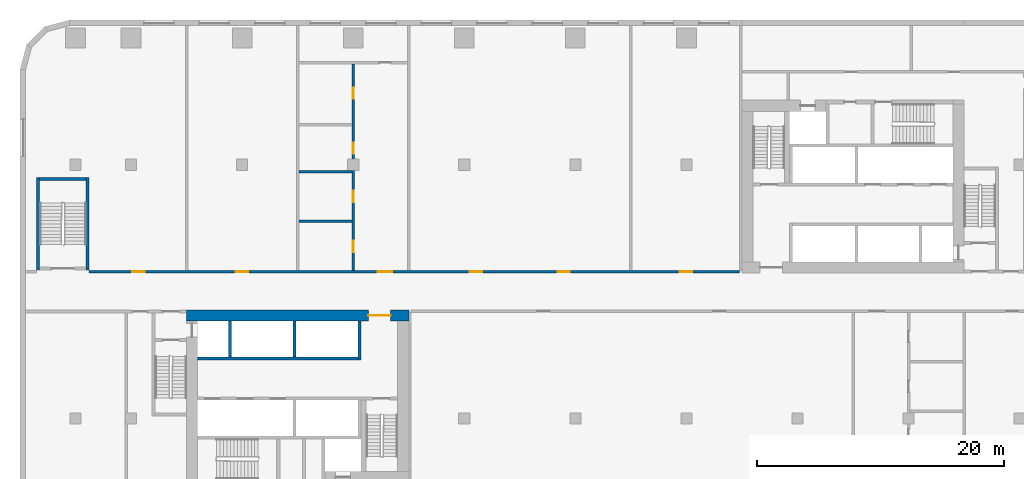
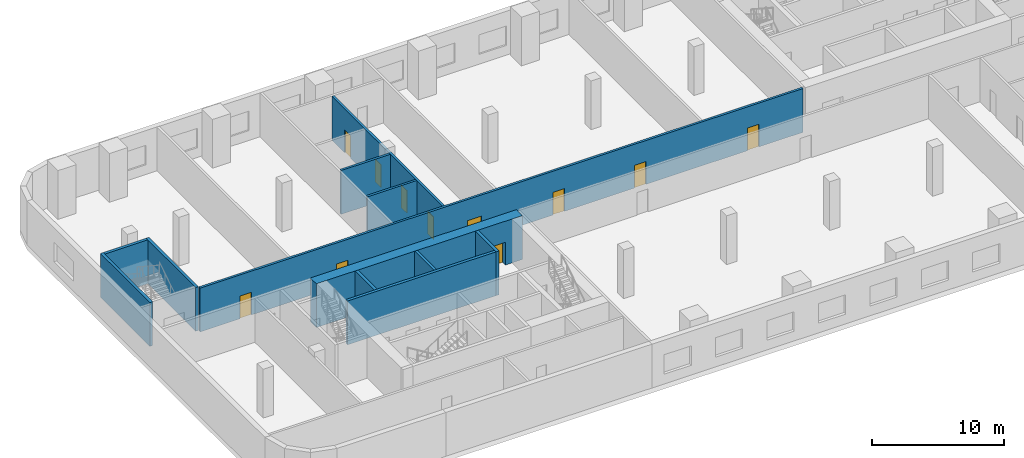
# One storey, part 3 of 15: 12 walls, 11 doors, 11 openings.
"""IFC4 building model written with IfcOpenShell, lengths in metres."""

from ifc_helpers import new_model, si_unit, direction, frame, frame_2d, origin, place, context, subcontext, project, spatial, rectangle, extrude, material, layer, layer_set, type_object, element, fill, save


model = new_model("IFC4")

# Units and contexts
model_context = context("Model", 3, precision=1e-05, world=origin(), true_north=direction((0.0, 1.0)))
body_context = subcontext(model_context, "Body", "Model", "MODEL_VIEW")
ifc_project = project(units=[si_unit("LENGTHUNIT", "METRE"), si_unit("AREAUNIT", "SQUARE_METRE"), si_unit("VOLUMEUNIT", "CUBIC_METRE"), si_unit("PLANEANGLEUNIT", "RADIAN"), si_unit("MASSUNIT", "GRAM", prefix="KILO")], contexts=[model_context])

# Site, building, storey
site_placement = place(None, origin())
site = spatial("IfcSite", under=ifc_project, at=site_placement, CompositionType="ELEMENT")
building_placement = place(site_placement, origin())
building = spatial("IfcBuilding", under=site, at=building_placement, Name="Kajstack Hotel Tower", CompositionType="ELEMENT")
storey_placement = place(building_placement, frame((0.0, 0.0, 29.0)))
storey = spatial("IfcBuildingStorey", under=building, at=storey_placement, Name="L04", CompositionType="ELEMENT", Elevation=29.0)

# Wall, opening, door
ifc_material_1 = material(Name="Concrete C60/75", Category="concrete")
ifc_layer_1 = layer(ifc_material_1, 0.89990234375)
ifc_layer_set_1 = layer_set([ifc_layer_1], Name="Core wall 900")
wall_type_1 = type_object("IfcWallType", Name="Core wall 900", PredefinedType="SHEAR", material=ifc_layer_set_1)
wall_1_placement = place(storey_placement, frame((-31.5, -1.949951171875, 0.0), z_axis=(0.0, 0.0, 1.0), x_axis=(1.0, 0.0, 0.0)))
wall_1 = element("IfcWall", 1, at=wall_1_placement, inside=storey, type_object=wall_type_1, Name="Core wall W RN", PredefinedType="SHEAR", context=body_context, shape_type="SweptSolid", body=[
    extrude(rectangle(XDim=18.0, YDim=0.89990234375, at=frame_2d((9.0, 0.0))), origin(), (0.0, 0.0, 1.0), 4.050048828125),
])
opening_1_placement = place(wall_1_placement, frame((14.72509765625, 0.0, 0.0)))
opening_1 = element("IfcOpeningElement", 2, at=opening_1_placement, cuts=wall_1, Name="Opening 04W06", PredefinedType="OPENING", context=body_context, shape_type="SweptSolid", body=[
    extrude(rectangle(XDim=1.800048828125, YDim=2.10009765625, at=frame_2d((0.89990234375, 1.050048828125))), frame((0.0, 0.4599609375, 0.0), z_axis=(0.0, -1.0, 0.0), x_axis=(1.0, 0.0, 0.0)), (0.0, 0.0, 1.0), 0.919921875),
])
ifc_material_2 = material(Name="Glazed steel frame, fire-rated glass", Category="steel")
door_type_1 = type_object("IfcDoorType", Name="Lobby double door 1800", OperationType="DOUBLE_DOOR_DOUBLE_SWING", PredefinedType="DOOR", material=ifc_material_2)
door_1_placement = place(opening_1_placement, origin())
door_1 = element("IfcDoor", 3, at=door_1_placement, inside=storey, type_object=door_type_1, Name="Door 04W06", OperationType="DOUBLE_DOOR_DOUBLE_SWING", OverallHeight=2.10009765625, OverallWidth=1.800048828125, PredefinedType="DOOR", context=body_context, shape_type="SweptSolid", body=[
    extrude(rectangle(XDim=1.800048828125, YDim=2.10009765625, at=frame_2d((0.89990234375, 1.050048828125))), frame((0.0, 0.02490234375, 0.0), z_axis=(0.0, -1.0, 0.0), x_axis=(1.0, 0.0, 0.0)), (0.0, 0.0, 1.0), 0.050048828125),
])
fill(opening_1, door_1)

# Wall
ifc_material_3 = material(Name="Concrete C50/60", Category="concrete")
ifc_layer_2 = layer(ifc_material_3, 0.300048828125)
ifc_layer_set_2 = layer_set([ifc_layer_2], Name="Hoistway divider wall 300")
wall_type_2 = type_object("IfcWallType", Name="Hoistway divider wall 300", PredefinedType="SHEAR", material=ifc_layer_set_2)
wall_2_placement = place(storey_placement, frame((-22.77490234375, -5.300048828125, 0.0), z_axis=(0.0, 0.0, 1.0), x_axis=(0.0, 1.0, 0.0)))
element("IfcWall", 4, at=wall_2_placement, inside=storey, type_object=wall_type_2, Name="Core wall W AP2", PredefinedType="SHEAR", context=body_context, shape_type="SweptSolid", body=[
    extrude(rectangle(XDim=2.900146484375, YDim=0.25, at=frame_2d((1.4501953125, 0.0))), origin(), (0.0, 0.0, 1.0), 4.050048828125),
])

# Wall, openings, doors
ifc_material_4 = material(Name="Gypsum board on steel studs, mineral wool", Category="steel")
ifc_layer_3 = layer(ifc_material_4, 0.199951171875)
ifc_layer_set_3 = layer_set([ifc_layer_3], Name="Public partition 200")
wall_type_3 = type_object("IfcWallType", Name="Public partition 200", PredefinedType="PARTITIONING", material=ifc_layer_set_3)
wall_3_placement = place(storey_placement, frame((-18.0, 1.699951171875, 0.0), z_axis=(0.0, 0.0, 1.0), x_axis=(0.0, 1.0, 0.0)))
wall_3 = element("IfcWall", 5, at=wall_3_placement, inside=storey, type_object=wall_type_3, Name="Partition C2CW", PredefinedType="PARTITIONING", context=body_context, shape_type="SweptSolid", body=[
    extrude(rectangle(XDim=16.75, YDim=0.199951171875, at=frame_2d((8.375, 0.0))), origin(), (0.0, 0.0, 1.0), 4.050048828125),
])
opening_2_placement = place(wall_3_placement, frame((1.5, 0.0, 0.0)))
opening_2 = element("IfcOpeningElement", 6, at=opening_2_placement, cuts=wall_3, Name="Opening 04P05", PredefinedType="OPENING", context=body_context, shape_type="SweptSolid", body=[
    extrude(rectangle(XDim=0.89990234375, YDim=2.10009765625, at=frame_2d((0.449951171875, 1.050048828125))), frame((0.0, 0.10986328125, 0.0), z_axis=(0.0, -1.0, 0.0), x_axis=(1.0, 0.0, 0.0)), (0.0, 0.0, 1.0), 0.219970703125),
])
opening_3_placement = place(wall_3_placement, frame((5.550048828125, 0.0, 0.0)))
opening_3 = element("IfcOpeningElement", 7, at=opening_3_placement, cuts=wall_3, Name="Opening 04P06", PredefinedType="OPENING", context=body_context, shape_type="SweptSolid", body=[
    extrude(rectangle(XDim=0.89990234375, YDim=2.10009765625, at=frame_2d((0.449951171875, 1.050048828125))), frame((0.0, 0.10986328125, 0.0), z_axis=(0.0, -1.0, 0.0), x_axis=(1.0, 0.0, 0.0)), (0.0, 0.0, 1.0), 0.219970703125),
])
opening_4_placement = place(wall_3_placement, frame((9.449951171875, 0.0, 0.0)))
opening_4 = element("IfcOpeningElement", 8, at=opening_4_placement, cuts=wall_3, Name="Opening 04P07", PredefinedType="OPENING", context=body_context, shape_type="SweptSolid", body=[
    extrude(rectangle(XDim=0.89990234375, YDim=2.10009765625, at=frame_2d((0.449951171875, 1.050048828125))), frame((0.0, 0.10986328125, 0.0), z_axis=(0.0, -1.0, 0.0), x_axis=(1.0, 0.0, 0.0)), (0.0, 0.0, 1.0), 0.219970703125),
])
opening_5_placement = place(wall_3_placement, frame((13.925048828125, 0.0, 0.0)))
opening_5 = element("IfcOpeningElement", 9, at=opening_5_placement, cuts=wall_3, Name="Opening 04P08", PredefinedType="OPENING", context=body_context, shape_type="SweptSolid", body=[
    extrude(rectangle(XDim=0.89990234375, YDim=2.10009765625, at=frame_2d((0.449951171875, 1.050048828125))), frame((0.0, 0.10986328125, 0.0), z_axis=(0.0, -1.0, 0.0), x_axis=(1.0, 0.0, 0.0)), (0.0, 0.0, 1.0), 0.219970703125),
])
ifc_material_5 = material(Name="Timber leaf", Category="wood")
door_type_2 = type_object("IfcDoorType", Name="Public room door 900", OperationType="SINGLE_SWING_LEFT", PredefinedType="DOOR", material=ifc_material_5)
door_2_placement = place(opening_2_placement, origin())
door_2 = element("IfcDoor", 10, at=door_2_placement, inside=storey, type_object=door_type_2, Name="Door 04P05", OperationType="SINGLE_SWING_LEFT", OverallHeight=2.10009765625, OverallWidth=0.89990234375, PredefinedType="DOOR", context=body_context, shape_type="SweptSolid", body=[
    extrude(rectangle(XDim=0.89990234375, YDim=2.10009765625, at=frame_2d((0.449951171875, 1.050048828125))), frame((0.0, 0.02490234375, 0.0), z_axis=(0.0, -1.0, 0.0), x_axis=(1.0, 0.0, 0.0)), (0.0, 0.0, 1.0), 0.050048828125),
])
fill(opening_2, door_2)
door_3_placement = place(opening_3_placement, origin())
door_3 = element("IfcDoor", 11, at=door_3_placement, inside=storey, type_object=door_type_2, Name="Door 04P06", OperationType="SINGLE_SWING_LEFT", OverallHeight=2.10009765625, OverallWidth=0.89990234375, PredefinedType="DOOR", context=body_context, shape_type="SweptSolid", body=[
    extrude(rectangle(XDim=0.89990234375, YDim=2.10009765625, at=frame_2d((0.449951171875, 1.050048828125))), frame((0.0, 0.02490234375, 0.0), z_axis=(0.0, -1.0, 0.0), x_axis=(1.0, 0.0, 0.0)), (0.0, 0.0, 1.0), 0.050048828125),
])
fill(opening_3, door_3)
door_4_placement = place(opening_4_placement, origin())
door_4 = element("IfcDoor", 12, at=door_4_placement, inside=storey, type_object=door_type_2, Name="Door 04P07", OperationType="SINGLE_SWING_LEFT", OverallHeight=2.10009765625, OverallWidth=0.89990234375, PredefinedType="DOOR", context=body_context, shape_type="SweptSolid", body=[
    extrude(rectangle(XDim=0.89990234375, YDim=2.10009765625, at=frame_2d((0.449951171875, 1.050048828125))), frame((0.0, 0.02490234375, 0.0), z_axis=(0.0, -1.0, 0.0), x_axis=(1.0, 0.0, 0.0)), (0.0, 0.0, 1.0), 0.050048828125),
])
fill(opening_4, door_4)
door_5_placement = place(opening_5_placement, origin())
door_5 = element("IfcDoor", 13, at=door_5_placement, inside=storey, type_object=door_type_2, Name="Door 04P08", OperationType="SINGLE_SWING_LEFT", OverallHeight=2.10009765625, OverallWidth=0.89990234375, PredefinedType="DOOR", context=body_context, shape_type="SweptSolid", body=[
    extrude(rectangle(XDim=0.89990234375, YDim=2.10009765625, at=frame_2d((0.449951171875, 1.050048828125))), frame((0.0, 0.02490234375, 0.0), z_axis=(0.0, -1.0, 0.0), x_axis=(1.0, 0.0, 0.0)), (0.0, 0.0, 1.0), 0.050048828125),
])
fill(opening_5, door_5)

# Walls
for number, where, z_axis, x_axis, name in (
    (14, (-22.39990234375, 5.699951171875, 0.0), (0.0, 0.0, 1.0), (1.0, 0.0, 0.0), "Partition C2wP0"),
    (15, (-22.39990234375, 9.699951171875, 0.0), (0.0, 0.0, 1.0), (1.0, 0.0, 0.0), "Partition C2wP1"),
):
    element("IfcWall", number, at=place(storey_placement, frame(where, z_axis=z_axis, x_axis=x_axis)), inside=storey, type_object=wall_type_3, Name=name, PredefinedType="PARTITIONING", context=body_context, shape_type="SweptSolid", body=[
        extrude(rectangle(XDim=4.2998046875, YDim=0.199951171875, at=frame_2d((2.14990234375, 0.0))), origin(), (0.0, 0.0, 1.0), 4.050048828125),
    ])

# Wall, openings, doors
wall_4_placement = place(storey_placement, frame((-39.39990234375, 1.60009765625, 0.0), z_axis=(0.0, 0.0, 1.0), x_axis=(1.0, 0.0, 0.0)))
wall_4 = element("IfcWall", 16, at=wall_4_placement, inside=storey, type_object=wall_type_3, Name="Partition FW", PredefinedType="PARTITIONING", context=body_context, shape_type="SweptSolid", body=[
    extrude(rectangle(XDim=52.699951171875, YDim=0.199951171875, at=frame_2d((26.35009765625, 0.0))), origin(), (0.0, 0.0, 1.0), 4.050048828125),
])
opening_6_placement = place(wall_4_placement, frame((47.85009765625, 0.0, 0.0)))
opening_6 = element("IfcOpeningElement", 17, at=opening_6_placement, cuts=wall_4, Name="Opening 04P01", PredefinedType="OPENING", context=body_context, shape_type="SweptSolid", body=[
    extrude(rectangle(XDim=1.0, YDim=2.10009765625, at=frame_2d((0.5, 1.050048828125))), frame((0.0, 0.10986328125, 0.0), z_axis=(0.0, -1.0, 0.0), x_axis=(1.0, 0.0, 0.0)), (0.0, 0.0, 1.0), 0.219970703125),
])
opening_7_placement = place(wall_4_placement, frame((37.9599609375, 0.0, 0.0)))
opening_7 = element("IfcOpeningElement", 18, at=opening_7_placement, cuts=wall_4, Name="Opening 04P02", PredefinedType="OPENING", context=body_context, shape_type="SweptSolid", body=[
    extrude(rectangle(XDim=1.0, YDim=2.10009765625, at=frame_2d((0.5, 1.050048828125))), frame((0.0, 0.10986328125, 0.0), z_axis=(0.0, -1.0, 0.0), x_axis=(1.0, 0.0, 0.0)), (0.0, 0.0, 1.0), 0.219970703125),
])
opening_8_placement = place(wall_4_placement, frame((30.840087890625, 0.0, 0.0)))
opening_8 = element("IfcOpeningElement", 19, at=opening_8_placement, cuts=wall_4, Name="Opening 04P03", PredefinedType="OPENING", context=body_context, shape_type="SweptSolid", body=[
    extrude(rectangle(XDim=1.0, YDim=2.10009765625, at=frame_2d((0.5, 1.050048828125))), frame((0.0, 0.10986328125, 0.0), z_axis=(0.0, -1.0, 0.0), x_axis=(1.0, 0.0, 0.0)), (0.0, 0.0, 1.0), 0.219970703125),
])
opening_9_placement = place(wall_4_placement, frame((23.375, 0.0, 0.0)))
opening_9 = element("IfcOpeningElement", 20, at=opening_9_placement, cuts=wall_4, Name="Opening 04P04", PredefinedType="OPENING", context=body_context, shape_type="SweptSolid", body=[
    extrude(rectangle(XDim=1.199951171875, YDim=2.10009765625, at=frame_2d((0.60009765625, 1.050048828125))), frame((0.0, 0.10986328125, 0.0), z_axis=(0.0, -1.0, 0.0), x_axis=(1.0, 0.0, 0.0)), (0.0, 0.0, 1.0), 0.219970703125),
])
opening_10_placement = place(wall_4_placement, frame((11.89990234375, 0.0, 0.0)))
opening_10 = element("IfcOpeningElement", 21, at=opening_10_placement, cuts=wall_4, Name="Opening 04P10", PredefinedType="OPENING", context=body_context, shape_type="SweptSolid", body=[
    extrude(rectangle(XDim=1.0, YDim=2.10009765625, at=frame_2d((0.5, 1.050048828125))), frame((0.0, 0.10986328125, 0.0), z_axis=(0.0, -1.0, 0.0), x_axis=(1.0, 0.0, 0.0)), (0.0, 0.0, 1.0), 0.219970703125),
])
opening_11_placement = place(wall_4_placement, frame((3.5, 0.0, 0.0)))
opening_11 = element("IfcOpeningElement", 22, at=opening_11_placement, cuts=wall_4, Name="Opening 04P11", PredefinedType="OPENING", context=body_context, shape_type="SweptSolid", body=[
    extrude(rectangle(XDim=1.0, YDim=2.10009765625, at=frame_2d((0.5, 1.050048828125))), frame((0.0, 0.10986328125, 0.0), z_axis=(0.0, -1.0, 0.0), x_axis=(1.0, 0.0, 0.0)), (0.0, 0.0, 1.0), 0.219970703125),
])
ifc_material_6 = material(Name="Timber leaf, fire-rated", Category="wood")
door_type_3 = type_object("IfcDoorType", Name="Public corridor door 1200", OperationType="SINGLE_SWING_LEFT", PredefinedType="DOOR", material=ifc_material_6)
door_6_placement = place(opening_9_placement, origin())
door_6 = element("IfcDoor", 23, at=door_6_placement, inside=storey, type_object=door_type_3, Name="Door 04P04", OperationType="SINGLE_SWING_LEFT", OverallHeight=2.10009765625, OverallWidth=1.199951171875, PredefinedType="DOOR", context=body_context, shape_type="SweptSolid", body=[
    extrude(rectangle(XDim=1.199951171875, YDim=2.10009765625, at=frame_2d((0.60009765625, 1.050048828125))), frame((0.0, 0.02490234375, 0.0), z_axis=(0.0, -1.0, 0.0), x_axis=(1.0, 0.0, 0.0)), (0.0, 0.0, 1.0), 0.050048828125),
])
fill(opening_9, door_6)
door_type_4 = type_object("IfcDoorType", Name="Public room door 1000", OperationType="SINGLE_SWING_LEFT", PredefinedType="DOOR", material=ifc_material_5)
door_7_placement = place(opening_6_placement, origin())
door_7 = element("IfcDoor", 24, at=door_7_placement, inside=storey, type_object=door_type_4, Name="Door 04P01", OperationType="SINGLE_SWING_LEFT", OverallHeight=2.10009765625, OverallWidth=1.0, PredefinedType="DOOR", context=body_context, shape_type="SweptSolid", body=[
    extrude(rectangle(XDim=1.0, YDim=2.10009765625, at=frame_2d((0.5, 1.050048828125))), frame((0.0, 0.02490234375, 0.0), z_axis=(0.0, -1.0, 0.0), x_axis=(1.0, 0.0, 0.0)), (0.0, 0.0, 1.0), 0.050048828125),
])
fill(opening_6, door_7)
door_8_placement = place(opening_7_placement, origin())
door_8 = element("IfcDoor", 25, at=door_8_placement, inside=storey, type_object=door_type_4, Name="Door 04P02", OperationType="SINGLE_SWING_LEFT", OverallHeight=2.10009765625, OverallWidth=1.0, PredefinedType="DOOR", context=body_context, shape_type="SweptSolid", body=[
    extrude(rectangle(XDim=1.0, YDim=2.10009765625, at=frame_2d((0.5, 1.050048828125))), frame((0.0, 0.02490234375, 0.0), z_axis=(0.0, -1.0, 0.0), x_axis=(1.0, 0.0, 0.0)), (0.0, 0.0, 1.0), 0.050048828125),
])
fill(opening_7, door_8)
door_9_placement = place(opening_8_placement, origin())
door_9 = element("IfcDoor", 26, at=door_9_placement, inside=storey, type_object=door_type_4, Name="Door 04P03", OperationType="SINGLE_SWING_LEFT", OverallHeight=2.10009765625, OverallWidth=1.0, PredefinedType="DOOR", context=body_context, shape_type="SweptSolid", body=[
    extrude(rectangle(XDim=1.0, YDim=2.10009765625, at=frame_2d((0.5, 1.050048828125))), frame((0.0, 0.02490234375, 0.0), z_axis=(0.0, -1.0, 0.0), x_axis=(1.0, 0.0, 0.0)), (0.0, 0.0, 1.0), 0.050048828125),
])
fill(opening_8, door_9)
door_10_placement = place(opening_10_placement, origin())
door_10 = element("IfcDoor", 27, at=door_10_placement, inside=storey, type_object=door_type_4, Name="Door 04P10", OperationType="SINGLE_SWING_LEFT", OverallHeight=2.10009765625, OverallWidth=1.0, PredefinedType="DOOR", context=body_context, shape_type="SweptSolid", body=[
    extrude(rectangle(XDim=1.0, YDim=2.10009765625, at=frame_2d((0.5, 1.050048828125))), frame((0.0, 0.02490234375, 0.0), z_axis=(0.0, -1.0, 0.0), x_axis=(1.0, 0.0, 0.0)), (0.0, 0.0, 1.0), 0.050048828125),
])
fill(opening_10, door_10)
door_11_placement = place(opening_11_placement, origin())
door_11 = element("IfcDoor", 28, at=door_11_placement, inside=storey, type_object=door_type_4, Name="Door 04P11", OperationType="SINGLE_SWING_LEFT", OverallHeight=2.10009765625, OverallWidth=1.0, PredefinedType="DOOR", context=body_context, shape_type="SweptSolid", body=[
    extrude(rectangle(XDim=1.0, YDim=2.10009765625, at=frame_2d((0.5, 1.050048828125))), frame((0.0, 0.02490234375, 0.0), z_axis=(0.0, -1.0, 0.0), x_axis=(1.0, 0.0, 0.0)), (0.0, 0.0, 1.0), 0.050048828125),
])
fill(opening_11, door_11)

# Walls
ifc_layer_4 = layer(ifc_material_3, 0.25)
ifc_layer_set_4 = layer_set([ifc_layer_4], Name="Shaft wall 250")
wall_type_4 = type_object("IfcWallType", Name="Shaft wall 250", PredefinedType="SHEAR", material=ifc_layer_set_4)
wall_5_placement = place(storey_placement, frame((-30.60009765625, -5.425048828125, 0.0), z_axis=(0.0, 0.0, 1.0), x_axis=(1.0, 0.0, 0.0)))
element("IfcWall", 29, at=wall_5_placement, inside=storey, type_object=wall_type_4, Name="Core wall W FA", PredefinedType="SHEAR", context=body_context, shape_type="SweptSolid", body=[
    extrude(rectangle(XDim=13.0, YDim=0.25, at=frame_2d((6.5, 0.0))), origin(), (0.0, 0.0, 1.0), 4.050048828125),
])
wall_6_placement = place(storey_placement, frame((-17.47509765625, -5.550048828125, 0.0), z_axis=(0.0, 0.0, 1.0), x_axis=(0.0, 1.0, 0.0)))
element("IfcWall", 30, at=wall_6_placement, inside=storey, type_object=wall_type_4, Name="Core wall W AE", PredefinedType="SHEAR", context=body_context, shape_type="SweptSolid", body=[
    extrude(rectangle(XDim=3.150146484375, YDim=0.25, at=frame_2d((1.5751953125, 0.0))), origin(), (0.0, 0.0, 1.0), 4.050048828125),
])
wall_7_placement = place(storey_placement, frame((-27.97509765625, -5.300048828125, 0.0), z_axis=(0.0, 0.0, 1.0), x_axis=(0.0, 1.0, 0.0)))
element("IfcWall", 31, at=wall_7_placement, inside=storey, type_object=wall_type_4, Name="Core wall W AP0", PredefinedType="SHEAR", context=body_context, shape_type="SweptSolid", body=[
    extrude(rectangle(XDim=2.900146484375, YDim=0.25, at=frame_2d((1.4501953125, 0.0))), origin(), (0.0, 0.0, 1.0), 4.050048828125),
])
ifc_material_7 = material(Name="Concrete C40/50", Category="concrete")
ifc_layer_5 = layer(ifc_material_7, 0.25)
ifc_layer_set_5 = layer_set([ifc_layer_5], Name="Stair enclosure wall 250")
wall_type_5 = type_object("IfcWallType", Name="Stair enclosure wall 250", PredefinedType="SHEAR", material=ifc_layer_set_5)
for number, where, z_axis, x_axis, name in (
    (32, (-43.52490234375, 1.75, 0.0), (0.0, 0.0, 1.0), (0.0, 1.0, 0.0), "Stair wall P1 W"),
    (33, (-39.52490234375, 1.75, 0.0), (0.0, 0.0, 1.0), (0.0, 1.0, 0.0), "Stair wall P1 E"),
):
    element("IfcWall", number, at=place(storey_placement, frame(where, z_axis=z_axis, x_axis=x_axis)), inside=storey, type_object=wall_type_5, Name=name, PredefinedType="SHEAR", context=body_context, shape_type="SweptSolid", body=[
        extrude(rectangle(XDim=7.5, YDim=0.25, at=frame_2d((3.75, 0.0))), origin(), (0.0, 0.0, 1.0), 4.050048828125),
    ])
wall_8_placement = place(storey_placement, frame((-43.39990234375, 9.125, 0.0), z_axis=(0.0, 0.0, 1.0), x_axis=(1.0, 0.0, 0.0)))
element("IfcWall", 34, at=wall_8_placement, inside=storey, type_object=wall_type_5, Name="Stair wall P1 F", PredefinedType="SHEAR", context=body_context, shape_type="SweptSolid", body=[
    extrude(rectangle(XDim=3.75, YDim=0.25, at=frame_2d((1.875, 0.0))), origin(), (0.0, 0.0, 1.0), 4.050048828125),
])

save(model, "model.ifc")
